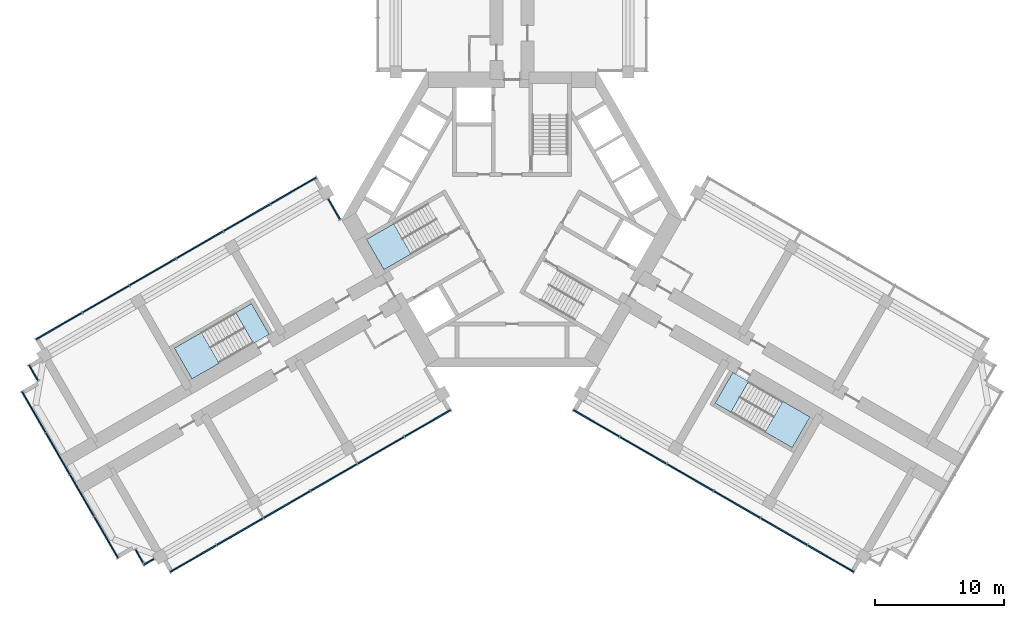
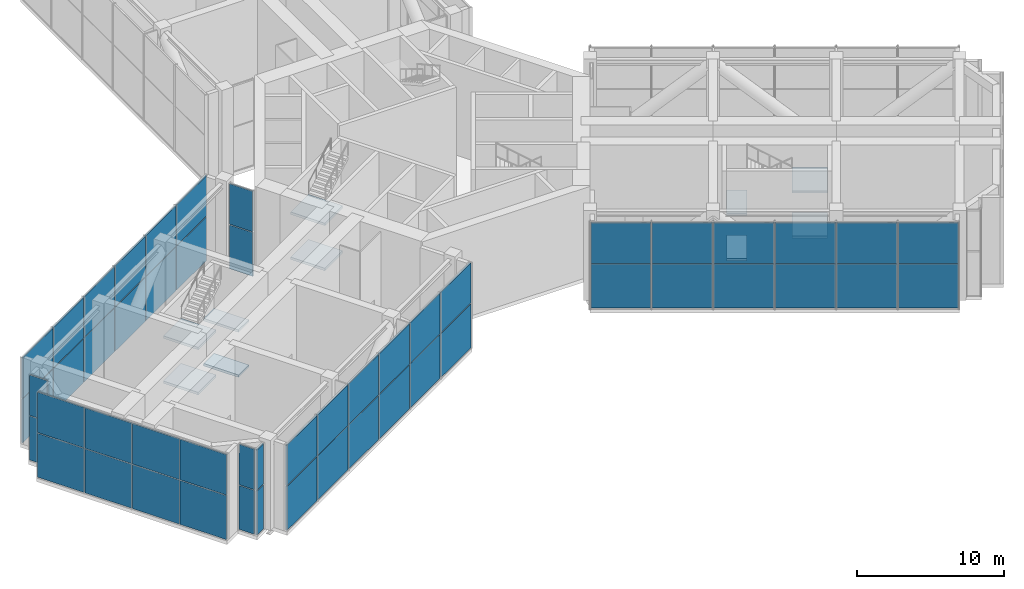
# One storey, part 9 of 16: 52 plates, 10 slabs, 11 elements without a shape of their own.
"""IFC4 building model written with IfcOpenShell, lengths in metres."""

from ifc_helpers import new_model, si_unit, direction, frame, origin, origin_2d, place, context, subcontext, project, spatial, polyline, rectangle, outline, extrude, material, layer, layer_set, type_object, element, aggregate, save


model = new_model("IFC4")

# Units and contexts
model_context = context("Model", 3, precision=1e-05, world=origin(), true_north=direction((0.0, 1.0)))
body_context = subcontext(model_context, "Body", "Model", "MODEL_VIEW")
ifc_project = project(units=[si_unit("LENGTHUNIT", "METRE"), si_unit("AREAUNIT", "SQUARE_METRE"), si_unit("VOLUMEUNIT", "CUBIC_METRE"), si_unit("PLANEANGLEUNIT", "RADIAN"), si_unit("MASSUNIT", "GRAM", prefix="KILO")], contexts=[model_context])

# Site, building, storey
site_placement = place(None, origin())
site = spatial("IfcSite", under=ifc_project, at=site_placement, CompositionType="ELEMENT")
building_placement = place(site_placement, origin())
building = spatial("IfcBuilding", under=site, at=building_placement, Name="Impinga Residences", CompositionType="ELEMENT")
storey_placement = place(building_placement, frame((0.0, 0.0, 181.0)))
storey = spatial("IfcBuildingStorey", under=building, at=storey_placement, Name="L45", CompositionType="ELEMENT", Elevation=181.0)

# Curtain wall, plates
ifc_material_1 = material(Name="Aluminium stick curtain wall", Category="aluminium")
curtain_wall_type = type_object("IfcCurtainWallType", Name="CW4 plant floor louvred curtain wall", PredefinedType="USERDEFINED", material=ifc_material_1)
curtain_wall_1_placement = place(storey_placement, origin())
curtain_wall_1 = element("IfcCurtainWall", 1, at=curtain_wall_1_placement, inside=storey, type_object=curtain_wall_type, Name="Curtain wall CW4 L45", ObjectType="STICK CURTAIN WALL", PredefinedType="USERDEFINED")
ifc_material_2 = material(Name="Aluminium louvre blade panel", Category="aluminium")
ifc_layer_1 = layer(ifc_material_2, 0.10009765625)
ifc_layer_set_1 = layer_set([ifc_layer_1], Name="CW4-P louvre panel 100")
plate_type = type_object("IfcPlateType", Name="CW4-P louvre panel 100", PredefinedType="CURTAIN_PANEL", material=ifc_layer_set_1)
plate_1_placement = place(storey_placement, frame((-28.11962890625, -26.51171875, 0.06005859375), z_axis=(0.0, 0.0, 1.0), x_axis=(-0.86602549983, -0.499999833644, 0.0)))
plate_1 = element("IfcPlate", 2, at=plate_1_placement, type_object=plate_type, Name="CW4 panel 1.1", PredefinedType="CURTAIN_PANEL", context=body_context, shape_type="SweptSolid", body=[
    extrude(rectangle(XDim=0.927001953125, YDim=0.10009765625, at=origin_2d()), origin(), (0.0, 0.0, 1.0), 3.659912109375),
])
plate_2_placement = place(storey_placement, frame((-28.11962890625, -26.51171875, 3.77978515625), z_axis=(0.0, 0.0, 1.0), x_axis=(-0.86602549983, -0.499999833644, 0.0)))
plate_2 = element("IfcPlate", 3, at=plate_2_placement, type_object=plate_type, Name="CW4 panel 1.2", PredefinedType="CURTAIN_PANEL", context=body_context, shape_type="SweptSolid", body=[
    extrude(rectangle(XDim=0.927001953125, YDim=0.10009765625, at=origin_2d()), origin(), (0.0, 0.0, 1.0), 3.360107421875),
])
aggregate(curtain_wall_1, [plate_1, plate_2])

curtain_wall_2_placement = place(storey_placement, origin())
curtain_wall_2 = element("IfcCurtainWall", 4, at=curtain_wall_2_placement, inside=storey, type_object=curtain_wall_type, Name="Curtain wall CW4 L45", ObjectType="STICK CURTAIN WALL", PredefinedType="USERDEFINED")
plate_3_placement = place(storey_placement, frame((-28.861328125, -26.073974609375, 0.06005859375), z_axis=(0.0, 0.0, 1.0), x_axis=(-0.500000008298, 0.866025398994, 0.0)))
plate_3 = element("IfcPlate", 5, at=plate_3_placement, type_object=plate_type, Name="CW4 panel 1.1", PredefinedType="CURTAIN_PANEL", context=body_context, shape_type="SweptSolid", body=[
    extrude(rectangle(XDim=1.179931640625, YDim=0.10009765625, at=origin_2d()), origin(), (0.0, 0.0, 1.0), 3.659912109375),
])
plate_4_placement = place(storey_placement, frame((-28.861328125, -26.073974609375, 3.77978515625), z_axis=(0.0, 0.0, 1.0), x_axis=(-0.500000008298, 0.866025398994, 0.0)))
plate_4 = element("IfcPlate", 6, at=plate_4_placement, type_object=plate_type, Name="CW4 panel 1.2", PredefinedType="CURTAIN_PANEL", context=body_context, shape_type="SweptSolid", body=[
    extrude(rectangle(XDim=1.179931640625, YDim=0.10009765625, at=origin_2d()), origin(), (0.0, 0.0, 1.0), 3.360107421875),
])
aggregate(curtain_wall_2, [plate_3, plate_4])

curtain_wall_3_placement = place(storey_placement, origin())
curtain_wall_3 = element("IfcCurtainWall", 7, at=curtain_wall_3_placement, inside=storey, type_object=curtain_wall_type, Name="Curtain wall CW4 L45", ObjectType="STICK CURTAIN WALL", PredefinedType="USERDEFINED")
plate_5_placement = place(storey_placement, frame((-31.430419921875, -24.624267578125, 0.06005859375), z_axis=(0.0, 0.0, 1.0), x_axis=(-0.500000001632, 0.866025402842, 0.0)))
plate_5 = element("IfcPlate", 8, at=plate_5_placement, type_object=plate_type, Name="CW4 panel 1.1", PredefinedType="CURTAIN_PANEL", context=body_context, shape_type="SweptSolid", body=[
    extrude(rectangle(XDim=3.659912109375, YDim=0.10009765625, at=origin_2d()), origin(), (0.0, 0.0, 1.0), 3.659912109375),
])
plate_6_placement = place(storey_placement, frame((-31.430419921875, -24.624267578125, 3.77978515625), z_axis=(0.0, 0.0, 1.0), x_axis=(-0.500000001632, 0.866025402842, 0.0)))
plate_6 = element("IfcPlate", 9, at=plate_6_placement, type_object=plate_type, Name="CW4 panel 1.2", PredefinedType="CURTAIN_PANEL", context=body_context, shape_type="SweptSolid", body=[
    extrude(rectangle(XDim=3.659912109375, YDim=0.10009765625, at=origin_2d()), origin(), (0.0, 0.0, 1.0), 3.360107421875),
])
plate_7_placement = place(storey_placement, frame((-33.2978515625, -21.3896484375, 0.06005859375), z_axis=(0.0, 0.0, 1.0), x_axis=(-0.500000001632, 0.866025402842, 0.0)))
plate_7 = element("IfcPlate", 10, at=plate_7_placement, type_object=plate_type, Name="CW4 panel 2.1", PredefinedType="CURTAIN_PANEL", context=body_context, shape_type="SweptSolid", body=[
    extrude(rectangle(XDim=3.68994140625, YDim=0.10009765625, at=origin_2d()), origin(), (0.0, 0.0, 1.0), 3.659912109375),
])
plate_8_placement = place(storey_placement, frame((-33.2978515625, -21.3896484375, 3.77978515625), z_axis=(0.0, 0.0, 1.0), x_axis=(-0.500000001632, 0.866025402842, 0.0)))
plate_8 = element("IfcPlate", 11, at=plate_8_placement, type_object=plate_type, Name="CW4 panel 2.2", PredefinedType="CURTAIN_PANEL", context=body_context, shape_type="SweptSolid", body=[
    extrude(rectangle(XDim=3.68994140625, YDim=0.10009765625, at=origin_2d()), origin(), (0.0, 0.0, 1.0), 3.360107421875),
])
plate_9_placement = place(storey_placement, frame((-35.1728515625, -18.14208984375, 0.06005859375), z_axis=(0.0, 0.0, 1.0), x_axis=(-0.500000001632, 0.866025402842, 0.0)))
plate_9 = element("IfcPlate", 12, at=plate_9_placement, type_object=plate_type, Name="CW4 panel 3.1", PredefinedType="CURTAIN_PANEL", context=body_context, shape_type="SweptSolid", body=[
    extrude(rectangle(XDim=3.68994140625, YDim=0.10009765625, at=origin_2d()), origin(), (0.0, 0.0, 1.0), 3.659912109375),
])
plate_10_placement = place(storey_placement, frame((-35.1728515625, -18.14208984375, 3.77978515625), z_axis=(0.0, 0.0, 1.0), x_axis=(-0.500000001632, 0.866025402842, 0.0)))
plate_10 = element("IfcPlate", 13, at=plate_10_placement, type_object=plate_type, Name="CW4 panel 3.2", PredefinedType="CURTAIN_PANEL", context=body_context, shape_type="SweptSolid", body=[
    extrude(rectangle(XDim=3.68994140625, YDim=0.10009765625, at=origin_2d()), origin(), (0.0, 0.0, 1.0), 3.360107421875),
])
plate_11_placement = place(storey_placement, frame((-37.040283203125, -14.907470703125, 0.06005859375), z_axis=(0.0, 0.0, 1.0), x_axis=(-0.500000001632, 0.866025402842, 0.0)))
plate_11 = element("IfcPlate", 14, at=plate_11_placement, type_object=plate_type, Name="CW4 panel 4.1", PredefinedType="CURTAIN_PANEL", context=body_context, shape_type="SweptSolid", body=[
    extrude(rectangle(XDim=3.659912109375, YDim=0.10009765625, at=origin_2d()), origin(), (0.0, 0.0, 1.0), 3.659912109375),
])
plate_12_placement = place(storey_placement, frame((-37.040283203125, -14.907470703125, 3.77978515625), z_axis=(0.0, 0.0, 1.0), x_axis=(-0.500000001632, 0.866025402842, 0.0)))
plate_12 = element("IfcPlate", 15, at=plate_12_placement, type_object=plate_type, Name="CW4 panel 4.2", PredefinedType="CURTAIN_PANEL", context=body_context, shape_type="SweptSolid", body=[
    extrude(rectangle(XDim=3.659912109375, YDim=0.10009765625, at=origin_2d()), origin(), (0.0, 0.0, 1.0), 3.360107421875),
])
aggregate(curtain_wall_3, [plate_5, plate_6, plate_7, plate_8, plate_9, plate_10, plate_11, plate_12])

curtain_wall_4_placement = place(storey_placement, origin())
curtain_wall_4 = element("IfcCurtainWall", 16, at=curtain_wall_4_placement, inside=storey, type_object=curtain_wall_type, Name="Curtain wall CW4 L45", ObjectType="STICK CURTAIN WALL", PredefinedType="USERDEFINED")
plate_13_placement = place(storey_placement, frame((-37.061279296875, -11.87109375, 0.06005859375), z_axis=(0.0, 0.0, 1.0), x_axis=(-0.500000030502, 0.866025386174, 0.0)))
plate_13 = element("IfcPlate", 17, at=plate_13_placement, type_object=plate_type, Name="CW4 panel 1.1", PredefinedType="CURTAIN_PANEL", context=body_context, shape_type="SweptSolid", body=[
    extrude(rectangle(XDim=1.3798828125, YDim=0.10009765625, at=origin_2d()), origin(), (0.0, 0.0, 1.0), 3.659912109375),
])
plate_14_placement = place(storey_placement, frame((-37.061279296875, -11.87109375, 3.77978515625), z_axis=(0.0, 0.0, 1.0), x_axis=(-0.500000030502, 0.866025386174, 0.0)))
plate_14 = element("IfcPlate", 18, at=plate_14_placement, type_object=plate_type, Name="CW4 panel 1.2", PredefinedType="CURTAIN_PANEL", context=body_context, shape_type="SweptSolid", body=[
    extrude(rectangle(XDim=1.3798828125, YDim=0.10009765625, at=origin_2d()), origin(), (0.0, 0.0, 1.0), 3.360107421875),
])
aggregate(curtain_wall_4, [plate_13, plate_14])

curtain_wall_5_placement = place(storey_placement, origin())
curtain_wall_5 = element("IfcCurtainWall", 19, at=curtain_wall_5_placement, inside=storey, type_object=curtain_wall_type, Name="Curtain wall CW4 L45", ObjectType="STICK CURTAIN WALL", PredefinedType="USERDEFINED")
plate_15_placement = place(storey_placement, frame((-35.09228515625, -8.251708984375, 0.06005859375), z_axis=(0.0, 0.0, 1.0), x_axis=(0.866025402048, 0.500000003008, 0.0)))
plate_15 = element("IfcPlate", 20, at=plate_15_placement, type_object=plate_type, Name="CW4 panel 1.1", PredefinedType="CURTAIN_PANEL", context=body_context, shape_type="SweptSolid", body=[
    extrude(rectangle(XDim=4.110107421875, YDim=0.10009765625, at=origin_2d()), origin(), (0.0, 0.0, 1.0), 3.659912109375),
])
plate_16_placement = place(storey_placement, frame((-35.09228515625, -8.251708984375, 3.77978515625), z_axis=(0.0, 0.0, 1.0), x_axis=(0.866025402048, 0.500000003008, 0.0)))
plate_16 = element("IfcPlate", 21, at=plate_16_placement, type_object=plate_type, Name="CW4 panel 1.2", PredefinedType="CURTAIN_PANEL", context=body_context, shape_type="SweptSolid", body=[
    extrude(rectangle(XDim=4.110107421875, YDim=0.10009765625, at=origin_2d()), origin(), (0.0, 0.0, 1.0), 3.360107421875),
])
plate_17_placement = place(storey_placement, frame((-31.4677734375, -6.1591796875, 0.06005859375), z_axis=(0.0, 0.0, 1.0), x_axis=(0.866025402048, 0.500000003008, 0.0)))
plate_17 = element("IfcPlate", 22, at=plate_17_placement, type_object=plate_type, Name="CW4 panel 2.1", PredefinedType="CURTAIN_PANEL", context=body_context, shape_type="SweptSolid", body=[
    extrude(rectangle(XDim=4.139892578125, YDim=0.10009765625, at=origin_2d()), origin(), (0.0, 0.0, 1.0), 3.659912109375),
])
plate_18_placement = place(storey_placement, frame((-31.4677734375, -6.1591796875, 3.77978515625), z_axis=(0.0, 0.0, 1.0), x_axis=(0.866025402048, 0.500000003008, 0.0)))
plate_18 = element("IfcPlate", 23, at=plate_18_placement, type_object=plate_type, Name="CW4 panel 2.2", PredefinedType="CURTAIN_PANEL", context=body_context, shape_type="SweptSolid", body=[
    extrude(rectangle(XDim=4.139892578125, YDim=0.10009765625, at=origin_2d()), origin(), (0.0, 0.0, 1.0), 3.360107421875),
])
plate_19_placement = place(storey_placement, frame((-27.83056640625, -4.05908203125, 0.06005859375), z_axis=(0.0, 0.0, 1.0), x_axis=(0.866025402048, 0.500000003008, 0.0)))
plate_19 = element("IfcPlate", 24, at=plate_19_placement, type_object=plate_type, Name="CW4 panel 3.1", PredefinedType="CURTAIN_PANEL", context=body_context, shape_type="SweptSolid", body=[
    extrude(rectangle(XDim=4.139892578125, YDim=0.10009765625, at=origin_2d()), origin(), (0.0, 0.0, 1.0), 3.659912109375),
])
plate_20_placement = place(storey_placement, frame((-27.83056640625, -4.05908203125, 3.77978515625), z_axis=(0.0, 0.0, 1.0), x_axis=(0.866025402048, 0.500000003008, 0.0)))
plate_20 = element("IfcPlate", 25, at=plate_20_placement, type_object=plate_type, Name="CW4 panel 3.2", PredefinedType="CURTAIN_PANEL", context=body_context, shape_type="SweptSolid", body=[
    extrude(rectangle(XDim=4.139892578125, YDim=0.10009765625, at=origin_2d()), origin(), (0.0, 0.0, 1.0), 3.360107421875),
])
plate_21_placement = place(storey_placement, frame((-24.193359375, -1.958984375, 0.06005859375), z_axis=(0.0, 0.0, 1.0), x_axis=(0.866025402048, 0.500000003008, 0.0)))
plate_21 = element("IfcPlate", 26, at=plate_21_placement, type_object=plate_type, Name="CW4 panel 4.1", PredefinedType="CURTAIN_PANEL", context=body_context, shape_type="SweptSolid", body=[
    extrude(rectangle(XDim=4.139892578125, YDim=0.10009765625, at=origin_2d()), origin(), (0.0, 0.0, 1.0), 3.659912109375),
])
plate_22_placement = place(storey_placement, frame((-24.193359375, -1.958984375, 3.77978515625), z_axis=(0.0, 0.0, 1.0), x_axis=(0.866025402048, 0.500000003008, 0.0)))
plate_22 = element("IfcPlate", 27, at=plate_22_placement, type_object=plate_type, Name="CW4 panel 4.2", PredefinedType="CURTAIN_PANEL", context=body_context, shape_type="SweptSolid", body=[
    extrude(rectangle(XDim=4.139892578125, YDim=0.10009765625, at=origin_2d()), origin(), (0.0, 0.0, 1.0), 3.360107421875),
])
plate_23_placement = place(storey_placement, frame((-20.555908203125, 0.140869140625, 0.06005859375), z_axis=(0.0, 0.0, 1.0), x_axis=(0.866025402048, 0.500000003008, 0.0)))
plate_23 = element("IfcPlate", 28, at=plate_23_placement, type_object=plate_type, Name="CW4 panel 5.1", PredefinedType="CURTAIN_PANEL", context=body_context, shape_type="SweptSolid", body=[
    extrude(rectangle(XDim=4.139892578125, YDim=0.10009765625, at=origin_2d()), origin(), (0.0, 0.0, 1.0), 3.659912109375),
])
plate_24_placement = place(storey_placement, frame((-20.555908203125, 0.140869140625, 3.77978515625), z_axis=(0.0, 0.0, 1.0), x_axis=(0.866025402048, 0.500000003008, 0.0)))
plate_24 = element("IfcPlate", 29, at=plate_24_placement, type_object=plate_type, Name="CW4 panel 5.2", PredefinedType="CURTAIN_PANEL", context=body_context, shape_type="SweptSolid", body=[
    extrude(rectangle(XDim=4.139892578125, YDim=0.10009765625, at=origin_2d()), origin(), (0.0, 0.0, 1.0), 3.360107421875),
])
plate_25_placement = place(storey_placement, frame((-16.931640625, 2.2333984375, 0.06005859375), z_axis=(0.0, 0.0, 1.0), x_axis=(0.866025402048, 0.500000003008, 0.0)))
plate_25 = element("IfcPlate", 30, at=plate_25_placement, type_object=plate_type, Name="CW4 panel 6.1", PredefinedType="CURTAIN_PANEL", context=body_context, shape_type="SweptSolid", body=[
    extrude(rectangle(XDim=4.110107421875, YDim=0.10009765625, at=origin_2d()), origin(), (0.0, 0.0, 1.0), 3.659912109375),
])
plate_26_placement = place(storey_placement, frame((-16.931640625, 2.2333984375, 3.77978515625), z_axis=(0.0, 0.0, 1.0), x_axis=(0.866025402048, 0.500000003008, 0.0)))
plate_26 = element("IfcPlate", 31, at=plate_26_placement, type_object=plate_type, Name="CW4 panel 6.2", PredefinedType="CURTAIN_PANEL", context=body_context, shape_type="SweptSolid", body=[
    extrude(rectangle(XDim=4.110107421875, YDim=0.10009765625, at=origin_2d()), origin(), (0.0, 0.0, 1.0), 3.360107421875),
])
aggregate(curtain_wall_5, [plate_15, plate_16, plate_17, plate_18, plate_19, plate_20, plate_21, plate_22, plate_23, plate_24, plate_25, plate_26])

curtain_wall_6_placement = place(storey_placement, origin())
curtain_wall_6 = element("IfcCurtainWall", 32, at=curtain_wall_6_placement, inside=storey, type_object=curtain_wall_type, Name="Curtain wall CW4 L45", ObjectType="STICK CURTAIN WALL", PredefinedType="USERDEFINED")
plate_27_placement = place(storey_placement, frame((-13.779541015625, 0.803955078125, 0.06005859375), z_axis=(0.0, 0.0, 1.0), x_axis=(0.500000139919, -0.866025323002, 0.0)))
plate_27 = element("IfcPlate", 33, at=plate_27_placement, type_object=plate_type, Name="CW4 panel 1.1", PredefinedType="CURTAIN_PANEL", context=body_context, shape_type="SweptSolid", body=[
    extrude(rectangle(XDim=1.8017578125, YDim=0.10009765625, at=origin_2d()), origin(), (0.0, 0.0, 1.0), 3.659912109375),
])
plate_28_placement = place(storey_placement, frame((-13.779541015625, 0.803955078125, 3.77978515625), z_axis=(0.0, 0.0, 1.0), x_axis=(0.500000139919, -0.866025323002, 0.0)))
plate_28 = element("IfcPlate", 34, at=plate_28_placement, type_object=plate_type, Name="CW4 panel 1.2", PredefinedType="CURTAIN_PANEL", context=body_context, shape_type="SweptSolid", body=[
    extrude(rectangle(XDim=1.8017578125, YDim=0.10009765625, at=origin_2d()), origin(), (0.0, 0.0, 1.0), 3.360107421875),
])
aggregate(curtain_wall_6, [plate_27, plate_28])

curtain_wall_7_placement = place(storey_placement, origin())
curtain_wall_7 = element("IfcCurtainWall", 35, at=curtain_wall_7_placement, inside=storey, type_object=curtain_wall_type, Name="Curtain wall CW4 L45", ObjectType="STICK CURTAIN WALL", PredefinedType="USERDEFINED")
plate_29_placement = place(storey_placement, frame((24.692138671875, -26.264892578125, 0.06005859375), z_axis=(0.0, 0.0, 1.0), x_axis=(-0.866025402048, 0.500000003008, 0.0)))
plate_29 = element("IfcPlate", 36, at=plate_29_placement, type_object=plate_type, Name="CW4 panel 1.1", PredefinedType="CURTAIN_PANEL", context=body_context, shape_type="SweptSolid", body=[
    extrude(rectangle(XDim=4.110107421875, YDim=0.10009765625, at=origin_2d()), origin(), (0.0, 0.0, 1.0), 3.659912109375),
])
plate_30_placement = place(storey_placement, frame((24.692138671875, -26.264892578125, 3.77978515625), z_axis=(0.0, 0.0, 1.0), x_axis=(-0.866025402048, 0.500000003008, 0.0)))
plate_30 = element("IfcPlate", 37, at=plate_30_placement, type_object=plate_type, Name="CW4 panel 1.2", PredefinedType="CURTAIN_PANEL", context=body_context, shape_type="SweptSolid", body=[
    extrude(rectangle(XDim=4.110107421875, YDim=0.10009765625, at=origin_2d()), origin(), (0.0, 0.0, 1.0), 3.360107421875),
])
plate_31_placement = place(storey_placement, frame((21.06787109375, -24.17236328125, 0.06005859375), z_axis=(0.0, 0.0, 1.0), x_axis=(-0.866025402048, 0.500000003008, 0.0)))
plate_31 = element("IfcPlate", 38, at=plate_31_placement, type_object=plate_type, Name="CW4 panel 2.1", PredefinedType="CURTAIN_PANEL", context=body_context, shape_type="SweptSolid", body=[
    extrude(rectangle(XDim=4.139892578125, YDim=0.10009765625, at=origin_2d()), origin(), (0.0, 0.0, 1.0), 3.659912109375),
])
plate_32_placement = place(storey_placement, frame((21.06787109375, -24.17236328125, 3.77978515625), z_axis=(0.0, 0.0, 1.0), x_axis=(-0.866025402048, 0.500000003008, 0.0)))
plate_32 = element("IfcPlate", 39, at=plate_32_placement, type_object=plate_type, Name="CW4 panel 2.2", PredefinedType="CURTAIN_PANEL", context=body_context, shape_type="SweptSolid", body=[
    extrude(rectangle(XDim=4.139892578125, YDim=0.10009765625, at=origin_2d()), origin(), (0.0, 0.0, 1.0), 3.360107421875),
])
plate_33_placement = place(storey_placement, frame((17.4306640625, -22.072509765625, 0.06005859375), z_axis=(0.0, 0.0, 1.0), x_axis=(-0.866025402048, 0.500000003008, 0.0)))
plate_33 = element("IfcPlate", 40, at=plate_33_placement, type_object=plate_type, Name="CW4 panel 3.1", PredefinedType="CURTAIN_PANEL", context=body_context, shape_type="SweptSolid", body=[
    extrude(rectangle(XDim=4.139892578125, YDim=0.10009765625, at=origin_2d()), origin(), (0.0, 0.0, 1.0), 3.659912109375),
])
plate_34_placement = place(storey_placement, frame((17.4306640625, -22.072509765625, 3.77978515625), z_axis=(0.0, 0.0, 1.0), x_axis=(-0.866025402048, 0.500000003008, 0.0)))
plate_34 = element("IfcPlate", 41, at=plate_34_placement, type_object=plate_type, Name="CW4 panel 3.2", PredefinedType="CURTAIN_PANEL", context=body_context, shape_type="SweptSolid", body=[
    extrude(rectangle(XDim=4.139892578125, YDim=0.10009765625, at=origin_2d()), origin(), (0.0, 0.0, 1.0), 3.360107421875),
])
plate_35_placement = place(storey_placement, frame((13.793212890625, -19.972412109375, 0.06005859375), z_axis=(0.0, 0.0, 1.0), x_axis=(-0.866025402048, 0.500000003008, 0.0)))
plate_35 = element("IfcPlate", 42, at=plate_35_placement, type_object=plate_type, Name="CW4 panel 4.1", PredefinedType="CURTAIN_PANEL", context=body_context, shape_type="SweptSolid", body=[
    extrude(rectangle(XDim=4.139892578125, YDim=0.10009765625, at=origin_2d()), origin(), (0.0, 0.0, 1.0), 3.659912109375),
])
plate_36_placement = place(storey_placement, frame((13.793212890625, -19.972412109375, 3.77978515625), z_axis=(0.0, 0.0, 1.0), x_axis=(-0.866025402048, 0.500000003008, 0.0)))
plate_36 = element("IfcPlate", 43, at=plate_36_placement, type_object=plate_type, Name="CW4 panel 4.2", PredefinedType="CURTAIN_PANEL", context=body_context, shape_type="SweptSolid", body=[
    extrude(rectangle(XDim=4.139892578125, YDim=0.10009765625, at=origin_2d()), origin(), (0.0, 0.0, 1.0), 3.360107421875),
])
plate_37_placement = place(storey_placement, frame((10.156005859375, -17.872314453125, 0.06005859375), z_axis=(0.0, 0.0, 1.0), x_axis=(-0.866025402048, 0.500000003008, 0.0)))
plate_37 = element("IfcPlate", 44, at=plate_37_placement, type_object=plate_type, Name="CW4 panel 5.1", PredefinedType="CURTAIN_PANEL", context=body_context, shape_type="SweptSolid", body=[
    extrude(rectangle(XDim=4.139892578125, YDim=0.10009765625, at=origin_2d()), origin(), (0.0, 0.0, 1.0), 3.659912109375),
])
plate_38_placement = place(storey_placement, frame((10.156005859375, -17.872314453125, 3.77978515625), z_axis=(0.0, 0.0, 1.0), x_axis=(-0.866025402048, 0.500000003008, 0.0)))
plate_38 = element("IfcPlate", 45, at=plate_38_placement, type_object=plate_type, Name="CW4 panel 5.2", PredefinedType="CURTAIN_PANEL", context=body_context, shape_type="SweptSolid", body=[
    extrude(rectangle(XDim=4.139892578125, YDim=0.10009765625, at=origin_2d()), origin(), (0.0, 0.0, 1.0), 3.360107421875),
])
plate_39_placement = place(storey_placement, frame((6.53173828125, -15.780029296875, 0.06005859375), z_axis=(0.0, 0.0, 1.0), x_axis=(-0.866025402048, 0.500000003008, 0.0)))
plate_39 = element("IfcPlate", 46, at=plate_39_placement, type_object=plate_type, Name="CW4 panel 6.1", PredefinedType="CURTAIN_PANEL", context=body_context, shape_type="SweptSolid", body=[
    extrude(rectangle(XDim=4.110107421875, YDim=0.10009765625, at=origin_2d()), origin(), (0.0, 0.0, 1.0), 3.659912109375),
])
plate_40_placement = place(storey_placement, frame((6.53173828125, -15.780029296875, 3.77978515625), z_axis=(0.0, 0.0, 1.0), x_axis=(-0.866025402048, 0.500000003008, 0.0)))
plate_40 = element("IfcPlate", 47, at=plate_40_placement, type_object=plate_type, Name="CW4 panel 6.2", PredefinedType="CURTAIN_PANEL", context=body_context, shape_type="SweptSolid", body=[
    extrude(rectangle(XDim=4.110107421875, YDim=0.10009765625, at=origin_2d()), origin(), (0.0, 0.0, 1.0), 3.360107421875),
])
aggregate(curtain_wall_7, [plate_29, plate_30, plate_31, plate_32, plate_33, plate_34, plate_35, plate_36, plate_37, plate_38, plate_39, plate_40])

curtain_wall_8_placement = place(storey_placement, origin())
curtain_wall_8 = element("IfcCurtainWall", 48, at=curtain_wall_8_placement, inside=storey, type_object=curtain_wall_type, Name="Curtain wall CW4 L45", ObjectType="STICK CURTAIN WALL", PredefinedType="USERDEFINED")
plate_41_placement = place(storey_placement, frame((-6.53173828125, -15.780029296875, 0.06005859375), z_axis=(0.0, 0.0, 1.0), x_axis=(-0.866025402048, -0.500000003008, 0.0)))
plate_41 = element("IfcPlate", 49, at=plate_41_placement, type_object=plate_type, Name="CW4 panel 1.1", PredefinedType="CURTAIN_PANEL", context=body_context, shape_type="SweptSolid", body=[
    extrude(rectangle(XDim=4.110107421875, YDim=0.10009765625, at=origin_2d()), origin(), (0.0, 0.0, 1.0), 3.659912109375),
])
plate_42_placement = place(storey_placement, frame((-6.53173828125, -15.780029296875, 3.77978515625), z_axis=(0.0, 0.0, 1.0), x_axis=(-0.866025402048, -0.500000003008, 0.0)))
plate_42 = element("IfcPlate", 50, at=plate_42_placement, type_object=plate_type, Name="CW4 panel 1.2", PredefinedType="CURTAIN_PANEL", context=body_context, shape_type="SweptSolid", body=[
    extrude(rectangle(XDim=4.110107421875, YDim=0.10009765625, at=origin_2d()), origin(), (0.0, 0.0, 1.0), 3.360107421875),
])
plate_43_placement = place(storey_placement, frame((-10.156005859375, -17.872314453125, 0.06005859375), z_axis=(0.0, 0.0, 1.0), x_axis=(-0.866025402048, -0.500000003008, 0.0)))
plate_43 = element("IfcPlate", 51, at=plate_43_placement, type_object=plate_type, Name="CW4 panel 2.1", PredefinedType="CURTAIN_PANEL", context=body_context, shape_type="SweptSolid", body=[
    extrude(rectangle(XDim=4.139892578125, YDim=0.10009765625, at=origin_2d()), origin(), (0.0, 0.0, 1.0), 3.659912109375),
])
plate_44_placement = place(storey_placement, frame((-10.156005859375, -17.872314453125, 3.77978515625), z_axis=(0.0, 0.0, 1.0), x_axis=(-0.866025402048, -0.500000003008, 0.0)))
plate_44 = element("IfcPlate", 52, at=plate_44_placement, type_object=plate_type, Name="CW4 panel 2.2", PredefinedType="CURTAIN_PANEL", context=body_context, shape_type="SweptSolid", body=[
    extrude(rectangle(XDim=4.139892578125, YDim=0.10009765625, at=origin_2d()), origin(), (0.0, 0.0, 1.0), 3.360107421875),
])
plate_45_placement = place(storey_placement, frame((-13.793212890625, -19.972412109375, 0.06005859375), z_axis=(0.0, 0.0, 1.0), x_axis=(-0.866025402048, -0.500000003008, 0.0)))
plate_45 = element("IfcPlate", 53, at=plate_45_placement, type_object=plate_type, Name="CW4 panel 3.1", PredefinedType="CURTAIN_PANEL", context=body_context, shape_type="SweptSolid", body=[
    extrude(rectangle(XDim=4.139892578125, YDim=0.10009765625, at=origin_2d()), origin(), (0.0, 0.0, 1.0), 3.659912109375),
])
plate_46_placement = place(storey_placement, frame((-13.793212890625, -19.972412109375, 3.77978515625), z_axis=(0.0, 0.0, 1.0), x_axis=(-0.866025402048, -0.500000003008, 0.0)))
plate_46 = element("IfcPlate", 54, at=plate_46_placement, type_object=plate_type, Name="CW4 panel 3.2", PredefinedType="CURTAIN_PANEL", context=body_context, shape_type="SweptSolid", body=[
    extrude(rectangle(XDim=4.139892578125, YDim=0.10009765625, at=origin_2d()), origin(), (0.0, 0.0, 1.0), 3.360107421875),
])
plate_47_placement = place(storey_placement, frame((-17.4306640625, -22.072509765625, 0.06005859375), z_axis=(0.0, 0.0, 1.0), x_axis=(-0.866025402048, -0.500000003008, 0.0)))
plate_47 = element("IfcPlate", 55, at=plate_47_placement, type_object=plate_type, Name="CW4 panel 4.1", PredefinedType="CURTAIN_PANEL", context=body_context, shape_type="SweptSolid", body=[
    extrude(rectangle(XDim=4.139892578125, YDim=0.10009765625, at=origin_2d()), origin(), (0.0, 0.0, 1.0), 3.659912109375),
])
plate_48_placement = place(storey_placement, frame((-17.4306640625, -22.072509765625, 3.77978515625), z_axis=(0.0, 0.0, 1.0), x_axis=(-0.866025402048, -0.500000003008, 0.0)))
plate_48 = element("IfcPlate", 56, at=plate_48_placement, type_object=plate_type, Name="CW4 panel 4.2", PredefinedType="CURTAIN_PANEL", context=body_context, shape_type="SweptSolid", body=[
    extrude(rectangle(XDim=4.139892578125, YDim=0.10009765625, at=origin_2d()), origin(), (0.0, 0.0, 1.0), 3.360107421875),
])
plate_49_placement = place(storey_placement, frame((-21.06787109375, -24.17236328125, 0.06005859375), z_axis=(0.0, 0.0, 1.0), x_axis=(-0.866025402048, -0.500000003008, 0.0)))
plate_49 = element("IfcPlate", 57, at=plate_49_placement, type_object=plate_type, Name="CW4 panel 5.1", PredefinedType="CURTAIN_PANEL", context=body_context, shape_type="SweptSolid", body=[
    extrude(rectangle(XDim=4.139892578125, YDim=0.10009765625, at=origin_2d()), origin(), (0.0, 0.0, 1.0), 3.659912109375),
])
plate_50_placement = place(storey_placement, frame((-21.06787109375, -24.17236328125, 3.77978515625), z_axis=(0.0, 0.0, 1.0), x_axis=(-0.866025402048, -0.500000003008, 0.0)))
plate_50 = element("IfcPlate", 58, at=plate_50_placement, type_object=plate_type, Name="CW4 panel 5.2", PredefinedType="CURTAIN_PANEL", context=body_context, shape_type="SweptSolid", body=[
    extrude(rectangle(XDim=4.139892578125, YDim=0.10009765625, at=origin_2d()), origin(), (0.0, 0.0, 1.0), 3.360107421875),
])
plate_51_placement = place(storey_placement, frame((-24.692138671875, -26.264892578125, 0.06005859375), z_axis=(0.0, 0.0, 1.0), x_axis=(-0.866025402048, -0.500000003008, 0.0)))
plate_51 = element("IfcPlate", 59, at=plate_51_placement, type_object=plate_type, Name="CW4 panel 6.1", PredefinedType="CURTAIN_PANEL", context=body_context, shape_type="SweptSolid", body=[
    extrude(rectangle(XDim=4.110107421875, YDim=0.10009765625, at=origin_2d()), origin(), (0.0, 0.0, 1.0), 3.659912109375),
])
plate_52_placement = place(storey_placement, frame((-24.692138671875, -26.264892578125, 3.77978515625), z_axis=(0.0, 0.0, 1.0), x_axis=(-0.866025402048, -0.500000003008, 0.0)))
plate_52 = element("IfcPlate", 60, at=plate_52_placement, type_object=plate_type, Name="CW4 panel 6.2", PredefinedType="CURTAIN_PANEL", context=body_context, shape_type="SweptSolid", body=[
    extrude(rectangle(XDim=4.110107421875, YDim=0.10009765625, at=origin_2d()), origin(), (0.0, 0.0, 1.0), 3.360107421875),
])
aggregate(curtain_wall_8, [plate_41, plate_42, plate_43, plate_44, plate_45, plate_46, plate_47, plate_48, plate_49, plate_50, plate_51, plate_52])

# Stair, slabs
ifc_material_3 = material(Name="Concrete C40/50", Category="concrete")
stair_type_1 = type_object("IfcStairType", Name="STR core stair 7500 storey, 48 risers", PredefinedType="HALF_TURN_STAIR", material=ifc_material_3)
stair_1_placement = place(storey_placement, origin())
stair_1 = element("IfcStair", 61, at=stair_1_placement, inside=storey, type_object=stair_type_1, Name="Stair ST2 L45", PredefinedType="HALF_TURN_STAIR")
ifc_layer_2 = layer(ifc_material_3, 0.199951171875)
ifc_layer_set_2 = layer_set([ifc_layer_2], Name="Concrete C40/50")
slab_type = type_object("IfcSlabType", Name="LS1 stair landing 200", PredefinedType="LANDING", material=ifc_layer_set_2)
slab_1_placement = place(storey_placement, frame((0.0, 0.0, 1.675048828125)))
slab_1 = element("IfcSlab", 62, at=slab_1_placement, type_object=slab_type, Name="ST2 landing 2", PredefinedType="LANDING", context=body_context, shape_type="SweptSolid", body=[
    extrude(outline(polyline([(-7.814697265625, -2.664306640625), (-9.164794921875, -0.326171875), (-11.2705078125, -1.541748046875), (-9.920654296875, -3.880126953125), (-7.814697265625, -2.664306640625)])), origin(), (0.0, 0.0, 1.0), 0.199951171875),
])
slab_2_placement = place(storey_placement, frame((0.0, 0.0, 5.425048828125)))
slab_2 = element("IfcSlab", 63, at=slab_2_placement, type_object=slab_type, Name="ST2 landing 4", PredefinedType="LANDING", context=body_context, shape_type="SweptSolid", body=[
    extrude(outline(polyline([(-7.814697265625, -2.664306640625), (-9.164794921875, -0.326171875), (-11.2705078125, -1.541748046875), (-9.920654296875, -3.880126953125), (-7.814697265625, -2.664306640625)])), origin(), (0.0, 0.0, 1.0), 0.199951171875),
])
aggregate(stair_1, [slab_1, slab_2])

stair_type_2 = type_object("IfcStairType", Name="STR wing stair 7500 storey, 48 risers", PredefinedType="HALF_TURN_STAIR", material=ifc_material_3)
stair_2_placement = place(storey_placement, origin())
stair_2 = element("IfcStair", 64, at=stair_2_placement, inside=storey, type_object=stair_type_2, Name="Stair WS2 L45", PredefinedType="HALF_TURN_STAIR")
slab_3_placement = place(storey_placement, frame((0.0, 0.0, -0.199951171875)))
slab_3 = element("IfcSlab", 65, at=slab_3_placement, type_object=slab_type, Name="WS2 landing 1", PredefinedType="LANDING", context=body_context, shape_type="SweptSolid", body=[
    extrude(outline(polyline([(-18.803955078125, -8.8935546875), (-20.178955078125, -6.511962890625), (-21.400146484375, -7.217041015625), (-20.025146484375, -9.5986328125), (-18.803955078125, -8.8935546875)])), origin(), (0.0, 0.0, 1.0), 0.199951171875),
])
slab_4_placement = place(storey_placement, frame((0.0, 0.0, 1.675048828125)))
slab_4 = element("IfcSlab", 66, at=slab_4_placement, type_object=slab_type, Name="WS2 landing 2", PredefinedType="LANDING", context=body_context, shape_type="SweptSolid", body=[
    extrude(outline(polyline([(-22.675048828125, -11.12841796875), (-24.050048828125, -8.7470703125), (-26.154541015625, -9.9619140625), (-24.779541015625, -12.343505859375), (-22.675048828125, -11.12841796875)])), origin(), (0.0, 0.0, 1.0), 0.199951171875),
])
slab_5_placement = place(storey_placement, frame((0.0, 0.0, 3.550048828125)))
slab_5 = element("IfcSlab", 67, at=slab_5_placement, type_object=slab_type, Name="WS2 landing 3", PredefinedType="LANDING", context=body_context, shape_type="SweptSolid", body=[
    extrude(outline(polyline([(-18.803955078125, -8.8935546875), (-20.178955078125, -6.511962890625), (-21.400146484375, -7.217041015625), (-20.025146484375, -9.5986328125), (-18.803955078125, -8.8935546875)])), origin(), (0.0, 0.0, 1.0), 0.199951171875),
])
slab_6_placement = place(storey_placement, frame((0.0, 0.0, 5.425048828125)))
slab_6 = element("IfcSlab", 68, at=slab_6_placement, type_object=slab_type, Name="WS2 landing 4", PredefinedType="LANDING", context=body_context, shape_type="SweptSolid", body=[
    extrude(outline(polyline([(-22.675048828125, -11.12841796875), (-24.050048828125, -8.7470703125), (-26.154541015625, -9.9619140625), (-24.779541015625, -12.343505859375), (-22.675048828125, -11.12841796875)])), origin(), (0.0, 0.0, 1.0), 0.199951171875),
])
aggregate(stair_2, [slab_3, slab_4, slab_5, slab_6])

stair_3_placement = place(storey_placement, origin())
stair_3 = element("IfcStair", 69, at=stair_3_placement, inside=storey, type_object=stair_type_2, Name="Stair WS3 L45", PredefinedType="HALF_TURN_STAIR")
slab_7_placement = place(storey_placement, frame((0.0, 0.0, -0.199951171875)))
slab_7 = element("IfcSlab", 70, at=slab_7_placement, type_object=slab_type, Name="WS3 landing 1", PredefinedType="LANDING", context=body_context, shape_type="SweptSolid", body=[
    extrude(outline(polyline([(17.10400390625, -11.837890625), (15.72900390625, -14.219482421875), (16.9501953125, -14.924560546875), (18.3251953125, -12.54296875), (17.10400390625, -11.837890625)])), origin(), (0.0, 0.0, 1.0), 0.199951171875),
])
slab_8_placement = place(storey_placement, frame((0.0, 0.0, 1.675048828125)))
slab_8 = element("IfcSlab", 71, at=slab_8_placement, type_object=slab_type, Name="WS3 landing 2", PredefinedType="LANDING", context=body_context, shape_type="SweptSolid", body=[
    extrude(outline(polyline([(20.97509765625, -14.072998046875), (19.60009765625, -16.45458984375), (21.70458984375, -17.669677734375), (23.07958984375, -15.2880859375), (20.97509765625, -14.072998046875)])), origin(), (0.0, 0.0, 1.0), 0.199951171875),
])
slab_9_placement = place(storey_placement, frame((0.0, 0.0, 3.550048828125)))
slab_9 = element("IfcSlab", 72, at=slab_9_placement, type_object=slab_type, Name="WS3 landing 3", PredefinedType="LANDING", context=body_context, shape_type="SweptSolid", body=[
    extrude(outline(polyline([(17.10400390625, -11.837890625), (15.72900390625, -14.219482421875), (16.9501953125, -14.924560546875), (18.3251953125, -12.54296875), (17.10400390625, -11.837890625)])), origin(), (0.0, 0.0, 1.0), 0.199951171875),
])
slab_10_placement = place(storey_placement, frame((0.0, 0.0, 5.425048828125)))
slab_10 = element("IfcSlab", 73, at=slab_10_placement, type_object=slab_type, Name="WS3 landing 4", PredefinedType="LANDING", context=body_context, shape_type="SweptSolid", body=[
    extrude(outline(polyline([(20.97509765625, -14.072998046875), (19.60009765625, -16.45458984375), (21.70458984375, -17.669677734375), (23.07958984375, -15.2880859375), (20.97509765625, -14.072998046875)])), origin(), (0.0, 0.0, 1.0), 0.199951171875),
])
aggregate(stair_3, [slab_7, slab_8, slab_9, slab_10])

save(model, "model.ifc")
